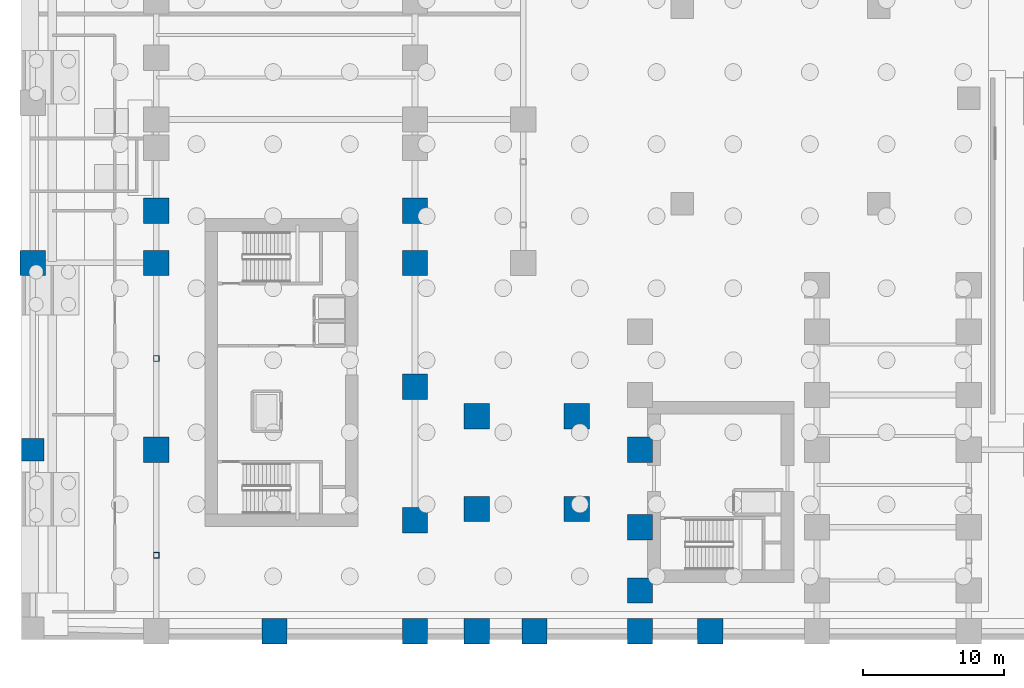
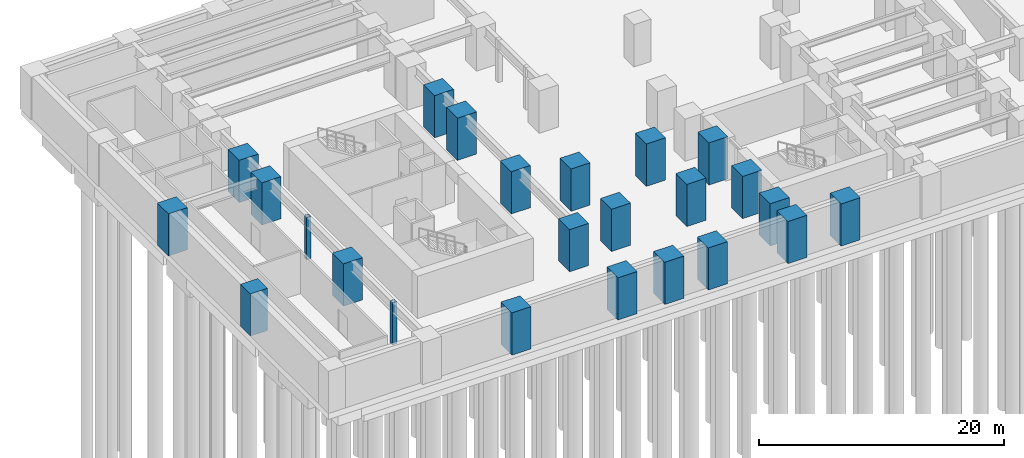
# One storey, part 3 of 15: 24 columns.
"""IFC4 building model written with IfcOpenShell, lengths in metres."""

from ifc_helpers import new_model, si_unit, direction, frame, origin, origin_2d, place, context, subcontext, project, spatial, rectangle, hollow_rectangle, extrude, source, transform, mapped, material, material_profile, profile_set, type_object, element, save


model = new_model("IFC4")

# Units and contexts
model_context = context("Model", 3, precision=1e-05, world=origin(), true_north=direction((0.0, 1.0)))
body_context = subcontext(model_context, "Body", "Model", "MODEL_VIEW")
ifc_project = project(units=[si_unit("LENGTHUNIT", "METRE"), si_unit("AREAUNIT", "SQUARE_METRE"), si_unit("VOLUMEUNIT", "CUBIC_METRE"), si_unit("PLANEANGLEUNIT", "RADIAN"), si_unit("MASSUNIT", "GRAM", prefix="KILO")], contexts=[model_context])

# Site, building, storey
site_placement = place(None, origin())
site = spatial("IfcSite", under=ifc_project, at=site_placement, CompositionType="ELEMENT")
building_placement = place(site_placement, origin())
building = spatial("IfcBuilding", under=site, at=building_placement, Name="Kharzan Plaza Tower", CompositionType="ELEMENT")
storey_placement = place(building_placement, frame((0.0, 0.0, -9.0)))
storey = spatial("IfcBuildingStorey", under=building, at=storey_placement, Name="B02", CompositionType="ELEMENT", Elevation=-9.0)

# Columns
ifc_material_1 = material(Name="Concrete C60/75", Category="concrete")
ifc_material_profile_1 = material_profile(ifc_material_1, rectangle(XDim=1.60009765625, YDim=1.60009765625, at=origin_2d()), Name="RC-MC1600x1600")
ifc_profile_set_1 = profile_set([ifc_material_profile_1], Name="Concrete C60/75")
column_type_1 = type_object("IfcColumnType", Name="COL-BC1600", PredefinedType="COLUMN", material=ifc_profile_set_1)
shared_shape_1 = source(origin(), body_context, "Body", "SweptSolid", [
    extrude(rectangle(XDim=1.60009765625, YDim=1.60009765625, at=origin_2d()), origin(), (0.0, 0.0, 1.0), 4.199951171875),
])
column_placement = place(storey_placement, frame((-8.199951171875, 13.5, 0.0), z_axis=(0.0, 0.0, 1.0), x_axis=(1.0, 0.0, 0.0)))
element("IfcColumn", 1, at=column_placement, inside=storey, type_object=column_type_1, Name="B02 Structural Column BC02", PredefinedType="COLUMN", context=body_context, shape_type="MappedRepresentation", body=[
    mapped(shared_shape_1, transform((0.0, 0.0, 0.0), x_axis=(1.0, 0.0, 0.0), y_axis=(0.0, 1.0, 0.0), z_axis=(0.0, 0.0, 1.0))),
])
ifc_material_profile_2 = material_profile(ifc_material_1, rectangle(XDim=1.800048828125, YDim=1.800048828125, at=origin_2d()), Name="RC-MC1800x1800")
ifc_profile_set_2 = profile_set([ifc_material_profile_2], Name="Concrete C60/75")
column_type_2 = type_object("IfcColumnType", Name="COL-MC1800", PredefinedType="COLUMN", material=ifc_profile_set_2)
shared_shape_2 = source(origin(), body_context, "Body", "SweptSolid", [
    extrude(rectangle(XDim=1.800048828125, YDim=1.800048828125, at=origin_2d()), origin(), (0.0, 0.0, 1.0), 4.199951171875),
])
for number, where, z_axis, x_axis, name in (
    (2, (-8.199951171875, 26.800048828125, 0.0), (0.0, 0.0, 1.0), (1.0, 0.0, 0.0), "B02 Podium Mega-Column MC01"),
    (3, (0.60009765625, 13.5, 0.0), (0.0, 0.0, 1.0), (1.0, 0.0, 0.0), "B02 Podium Mega-Column MC05"),
    (4, (0.60009765625, 26.800048828125, 0.0), (0.0, 0.0, 1.0), (1.0, 0.0, 0.0), "B02 Podium Mega-Column MC06"),
    (5, (0.60009765625, 30.5, 0.0), (0.0, 0.0, 1.0), (1.0, 0.0, 0.0), "B02 Podium Mega-Column MC07"),
    (6, (9.0, 0.60009765625, 0.0), (0.0, 0.0, 1.0), (1.0, 0.0, 0.0), "B02 Podium Mega-Column MC13"),
    (7, (19.0, 0.60009765625, 0.0), (0.0, 0.0, 1.0), (1.0, 0.0, 0.0), "B02 Podium Mega-Column MC14"),
    (8, (27.5, 0.60009765625, 0.0), (0.0, 0.0, 1.0), (1.0, 0.0, 0.0), "B02 Podium Mega-Column MC15"),
    (9, (35.0, 0.60009765625, 0.0), (0.0, 0.0, 1.0), (1.0, 0.0, 0.0), "B02 Podium Mega-Column MC16"),
    (10, (40.0, 0.60009765625, 0.0), (0.0, 0.0, 1.0), (1.0, 0.0, 0.0), "B02 Podium Mega-Column MC17"),
    (11, (19.0, 8.5, 0.0), (0.0, 0.0, 1.0), (1.0, 0.0, 0.0), "B02 Podium Mega-Column MC37"),
    (12, (19.0, 18.0, 0.0), (0.0, 0.0, 1.0), (1.0, 0.0, 0.0), "B02 Podium Mega-Column MC38"),
    (13, (19.0, 26.800048828125, 0.0), (0.0, 0.0, 1.0), (1.0, 0.0, 0.0), "B02 Podium Mega-Column MC39"),
    (14, (19.0, 30.5, 0.0), (0.0, 0.0, 1.0), (1.0, 0.0, 0.0), "B02 Podium Mega-Column MC40"),
    (15, (35.0, 3.5, 0.0), (0.0, 0.0, 1.0), (1.0, 0.0, 0.0), "B02 Podium Mega-Column MC45"),
    (16, (35.0, 8.0, 0.0), (0.0, 0.0, 1.0), (1.0, 0.0, 0.0), "B02 Podium Mega-Column MC46"),
    (17, (35.0, 13.5, 0.0), (0.0, 0.0, 1.0), (1.0, 0.0, 0.0), "B02 Podium Mega-Column MC47"),
    (18, (23.39990234375, 0.60009765625, 0.0), (0.0, 0.0, 1.0), (1.0, 0.0, 0.0), "B02 Podium Mega-Column MC50"),
    (19, (23.39990234375, 9.300048828125, 0.0), (0.0, 0.0, 1.0), (1.0, 0.0, 0.0), "B02 Podium Mega-Column MC51"),
    (20, (30.5, 9.300048828125, 0.0), (0.0, 0.0, 1.0), (1.0, 0.0, 0.0), "B02 Podium Mega-Column MC52"),
    (21, (23.39990234375, 15.89990234375, 0.0), (0.0, 0.0, 1.0), (1.0, 0.0, 0.0), "B02 Podium Mega-Column MC53"),
    (22, (30.5, 15.89990234375, 0.0), (0.0, 0.0, 1.0), (1.0, 0.0, 0.0), "B02 Podium Mega-Column MC54"),
):
    element("IfcColumn", number, at=place(storey_placement, frame(where, z_axis=z_axis, x_axis=x_axis)), inside=storey, type_object=column_type_2, Name=name, PredefinedType="COLUMN", context=body_context, shape_type="MappedRepresentation", body=[
        mapped(shared_shape_2, transform((0.0, 0.0, 0.0), x_axis=(1.0, 0.0, 0.0), y_axis=(0.0, 1.0, 0.0), z_axis=(0.0, 0.0, 1.0))),
    ])
ifc_material_2 = material(Name="Steel S355", Category="steel")
ifc_material_profile_3 = material_profile(ifc_material_2, hollow_rectangle(XDim=0.39990234375, YDim=0.39990234375, WallThickness=0.02001953125, at=origin_2d()), Name="SHS400x400x20")
ifc_profile_set_3 = profile_set([ifc_material_profile_3], Name="Steel S355")
column_type_3 = type_object("IfcColumnType", Name="COL-PIL400", PredefinedType="PILASTER", material=ifc_profile_set_3)
shared_shape_3 = source(origin(), body_context, "Body", "SweptSolid", [
    extrude(hollow_rectangle(XDim=0.39990234375, YDim=0.39990234375, WallThickness=0.02001953125, at=origin_2d()), origin(), (0.0, 0.0, 1.0), 4.199951171875),
])
for number, where, z_axis, x_axis, name in (
    (23, (0.60009765625, 6.0, 0.0), (0.0, 0.0, 1.0), (1.0, 0.0, 0.0), "B02 Portal Steel Pilaster 3"),
    (24, (0.60009765625, 20.0, 0.0), (0.0, 0.0, 1.0), (1.0, 0.0, 0.0), "B02 Portal Steel Pilaster 4"),
):
    element("IfcColumn", number, at=place(storey_placement, frame(where, z_axis=z_axis, x_axis=x_axis)), inside=storey, type_object=column_type_3, Name=name, PredefinedType="PILASTER", context=body_context, shape_type="MappedRepresentation", body=[
        mapped(shared_shape_3, transform((0.0, 0.0, 0.0), x_axis=(1.0, 0.0, 0.0), y_axis=(0.0, 1.0, 0.0), z_axis=(0.0, 0.0, 1.0))),
    ])

save(model, "model.ifc")
